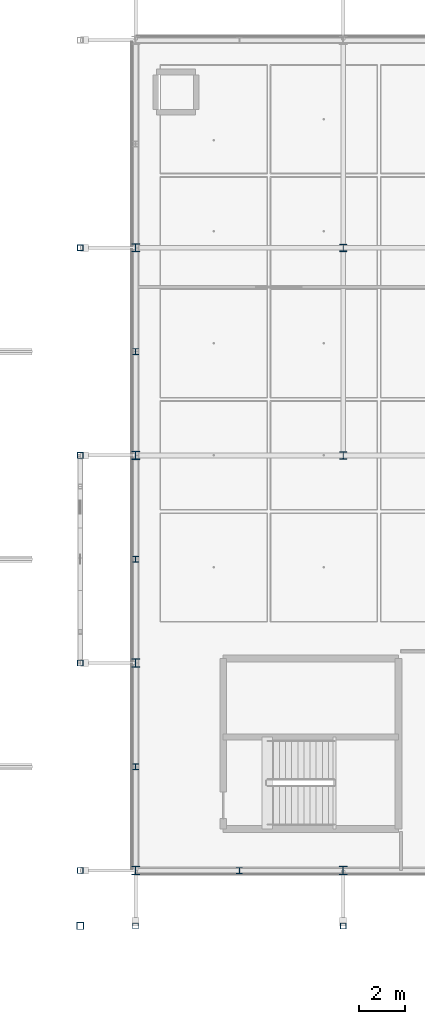
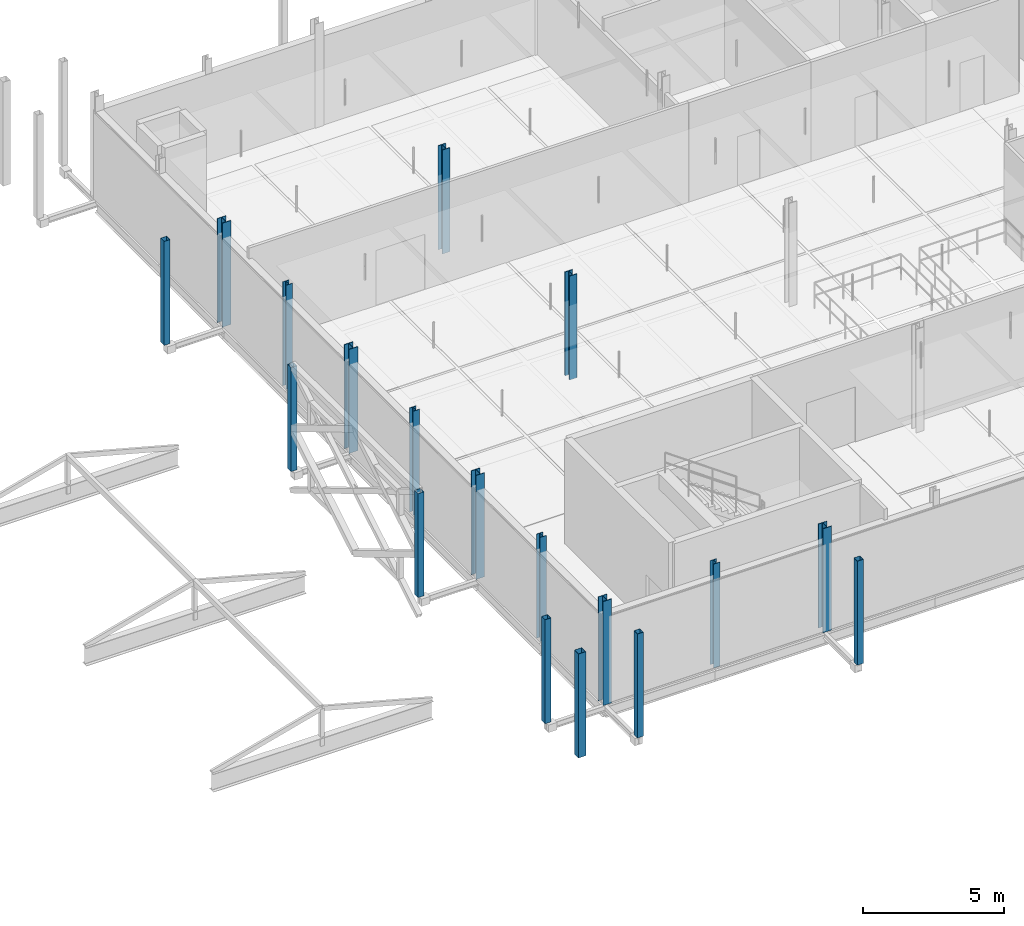
# One storey, part 2 of 89: 18 columns.
"""IFC4 building model written with IfcOpenShell, lengths in metres."""

from ifc_helpers import new_model, si_unit, direction, frame, origin, origin_2d, place, context, subcontext, project, spatial, hollow_rectangle, i_section, extrude, material, material_profile, profile_set, type_object, element, save


model = new_model("IFC4")

# Units and contexts
model_context = context("Model", 3, precision=1e-05, world=origin(), true_north=direction((0.0, 1.0)))
body_context = subcontext(model_context, "Body", "Model", "MODEL_VIEW")
ifc_project = project(units=[si_unit("LENGTHUNIT", "METRE"), si_unit("AREAUNIT", "SQUARE_METRE"), si_unit("VOLUMEUNIT", "CUBIC_METRE"), si_unit("PLANEANGLEUNIT", "RADIAN"), si_unit("MASSUNIT", "GRAM", prefix="KILO"), si_unit("THERMODYNAMICTEMPERATUREUNIT", "KELVIN"), si_unit("POWERUNIT", "WATT")], contexts=[model_context])

# Site, building, storey
site_placement = place(None, origin())
site = spatial("IfcSite", under=ifc_project, at=site_placement, CompositionType="ELEMENT")
building_placement = place(site_placement, origin())
building = spatial("IfcBuilding", under=site, at=building_placement, Name="Tallowbark Science Centre", CompositionType="ELEMENT")
storey_placement = place(building_placement, frame((0.0, 0.0, 14.39990234375)))
storey = spatial("IfcBuildingStorey", under=building, at=storey_placement, Name="L03", CompositionType="ELEMENT", Elevation=14.39990234375)

# Columns
ifc_material_1 = material(Name="White Architectural Painted Steel Grade C350L0 (350 MPa)", Category="steel")
ifc_material_profile_1 = material_profile(ifc_material_1, hollow_rectangle(XDim=0.25, YDim=0.25, WallThickness=0.009033203125, at=origin_2d()), Name="250x250x9.0SHS")
ifc_profile_set_1 = profile_set([ifc_material_profile_1], Name="White Architectural Painted Steel Grade C350L0 (350 MPa)")
column_type_1 = type_object("IfcColumnType", Name="COL-SCR200", PredefinedType="COLUMN", material=ifc_profile_set_1)
for number, where, z_axis, x_axis, name in (
    (1, (58.5, 2.10009765625, 0.0), (0.0, 0.0, 1.0), (1.0, 0.0, 0.0), "Column SCR-S01 L03"),
    (2, (67.5, 2.10009765625, 0.0), (0.0, 0.0, 1.0), (1.0, 0.0, 0.0), "Column SCR-S02 L03"),
    (3, (56.10009765625, 4.5, 0.0), (0.0, 0.0, 1.0), (1.0, 0.0, 0.0), "Column SCR-W01 L03"),
    (4, (56.10009765625, 13.5, 0.0), (0.0, 0.0, 1.0), (1.0, 0.0, 0.0), "Column SCR-W02 L03"),
    (5, (56.10009765625, 22.5, 0.0), (0.0, 0.0, 1.0), (1.0, 0.0, 0.0), "Column SCR-W03 L03"),
    (6, (56.10009765625, 31.5, 0.0), (0.0, 0.0, 1.0), (1.0, 0.0, 0.0), "Column SCR-W04 L03"),
):
    element("IfcColumn", number, at=place(storey_placement, frame(where, z_axis=z_axis, x_axis=x_axis)), inside=storey, type_object=column_type_1, Name=name, PredefinedType="COLUMN", context=body_context, shape_type="SweptSolid", body=[
        extrude(hollow_rectangle(XDim=0.25, YDim=0.25, WallThickness=0.009033203125, at=origin_2d()), origin(), (0.0, 0.0, 1.0), 4.5),
    ])
ifc_material_profile_2 = material_profile(ifc_material_1, hollow_rectangle(XDim=0.300048828125, YDim=0.300048828125, WallThickness=0.010009765625, at=origin_2d()), Name="300x300x10.0SHS")
ifc_profile_set_2 = profile_set([ifc_material_profile_2], Name="White Architectural Painted Steel Grade C350L0 (350 MPa)")
column_type_2 = type_object("IfcColumnType", Name="COL-SCR300", PredefinedType="COLUMN", material=ifc_profile_set_2)
column_placement = place(storey_placement, frame((56.10009765625, 2.10009765625, 0.0), z_axis=(0.0, 0.0, 1.0), x_axis=(1.0, 0.0, 0.0)))
element("IfcColumn", 7, at=column_placement, inside=storey, type_object=column_type_2, Name="Column SCR-S00 L03", PredefinedType="COLUMN", context=body_context, shape_type="SweptSolid", body=[
    extrude(hollow_rectangle(XDim=0.300048828125, YDim=0.300048828125, WallThickness=0.010009765625, at=origin_2d()), origin(), (0.0, 0.0, 1.0), 4.5),
])
ifc_material_2 = material(Name="Structural Steel Grade 300PLUS (300 MPa)", Category="steel")
ifc_material_profile_3 = material_profile(ifc_material_2, i_section(OverallWidth=0.311279296875, OverallDepth=0.3271484375, WebThickness=0.015625, FlangeThickness=0.02490234375, FilletRadius=0.0166015625, at=origin_2d()), Name="310UC158")
ifc_profile_set_3 = profile_set([ifc_material_profile_3], Name="Structural Steel Grade 300PLUS (300 MPa)")
column_type_3 = type_object("IfcColumnType", Name="COL-UC310A", PredefinedType="COLUMN", material=ifc_profile_set_3)
for number, where, z_axis, x_axis, name in (
    (8, (67.5, 22.5, 0.0), (0.0, 0.0, 1.0), (1.0, 0.0, 0.0), "Column CUB-M1_2 L03"),
    (9, (67.5, 31.5, 0.0), (0.0, 0.0, 1.0), (1.0, 0.0, 0.0), "Column CUB-M1_3 L03"),
):
    element("IfcColumn", number, at=place(storey_placement, frame(where, z_axis=z_axis, x_axis=x_axis)), inside=storey, type_object=column_type_3, Name=name, PredefinedType="COLUMN", context=body_context, shape_type="SweptSolid", body=[
        extrude(i_section(OverallWidth=0.311279296875, OverallDepth=0.3271484375, WebThickness=0.015625, FlangeThickness=0.02490234375, FilletRadius=0.0166015625, at=origin_2d()), origin(), (0.0, 0.0, 1.0), 4.5),
    ])
ifc_material_profile_4 = material_profile(ifc_material_2, i_section(OverallWidth=0.35009765625, OverallDepth=0.35888671875, WebThickness=0.01611328125, FlangeThickness=0.02392578125, FilletRadius=0.013916015625, at=origin_2d()), Name="350WC197")
ifc_profile_set_4 = profile_set([ifc_material_profile_4], Name="Structural Steel Grade 300PLUS (300 MPa)")
column_type_4 = type_object("IfcColumnType", Name="COL-WC350", PredefinedType="COLUMN", material=ifc_profile_set_4)
for number, where, z_axis, x_axis, name in (
    (10, (58.5, 4.5, 0.0), (0.0, 0.0, 1.0), (1.0, 0.0, 0.0), "Column CUB-M0_0 L03"),
    (11, (58.5, 13.5, 0.0), (0.0, 0.0, 1.0), (1.0, 0.0, 0.0), "Column CUB-M0_1 L03"),
    (12, (58.5, 22.5, 0.0), (0.0, 0.0, 1.0), (1.0, 0.0, 0.0), "Column CUB-M0_2 L03"),
    (13, (58.5, 31.5, 0.0), (0.0, 0.0, 1.0), (1.0, 0.0, 0.0), "Column CUB-M0_3 L03"),
    (14, (67.5, 4.5, 0.0), (0.0, 0.0, 1.0), (1.0, 0.0, 0.0), "Column CUB-M1_0 L03"),
):
    element("IfcColumn", number, at=place(storey_placement, frame(where, z_axis=z_axis, x_axis=x_axis)), inside=storey, type_object=column_type_4, Name=name, PredefinedType="COLUMN", context=body_context, shape_type="SweptSolid", body=[
        extrude(i_section(OverallWidth=0.35009765625, OverallDepth=0.35888671875, WebThickness=0.01611328125, FlangeThickness=0.02392578125, FilletRadius=0.013916015625, at=origin_2d()), origin(), (0.0, 0.0, 1.0), 4.5),
    ])
ifc_material_profile_5 = material_profile(ifc_material_2, i_section(OverallWidth=0.256103515625, OverallDepth=0.260009765625, WebThickness=0.010498046875, FlangeThickness=0.017333984375, FilletRadius=0.013916015625, at=origin_2d()), Name="250UC89.5")
ifc_profile_set_5 = profile_set([ifc_material_profile_5], Name="Structural Steel Grade 300PLUS (300 MPa)")
column_type_5 = type_object("IfcColumnType", Name="PIL-UC250", PredefinedType="PILASTER", material=ifc_profile_set_5)
for number, where, z_axis, x_axis, name in (
    (15, (63.0, 4.5, 0.0), (0.0, 0.0, 1.0), (1.0, 0.0, 0.0), "Column CUB-PS-0 L03"),
    (16, (58.5, 9.0, 0.0), (0.0, 0.0, 1.0), (1.0, 0.0, 0.0), "Column CUB-PW-0 L03"),
    (17, (58.5, 18.0, 0.0), (0.0, 0.0, 1.0), (1.0, 0.0, 0.0), "Column CUB-PW-1 L03"),
    (18, (58.5, 27.0, 0.0), (0.0, 0.0, 1.0), (1.0, 0.0, 0.0), "Column CUB-PW-2 L03"),
):
    element("IfcColumn", number, at=place(storey_placement, frame(where, z_axis=z_axis, x_axis=x_axis)), inside=storey, type_object=column_type_5, Name=name, PredefinedType="PILASTER", context=body_context, shape_type="SweptSolid", body=[
        extrude(i_section(OverallWidth=0.256103515625, OverallDepth=0.260009765625, WebThickness=0.010498046875, FlangeThickness=0.017333984375, FilletRadius=0.013916015625, at=origin_2d()), origin(), (0.0, 0.0, 1.0), 4.5),
    ])

save(model, "model.ifc")
